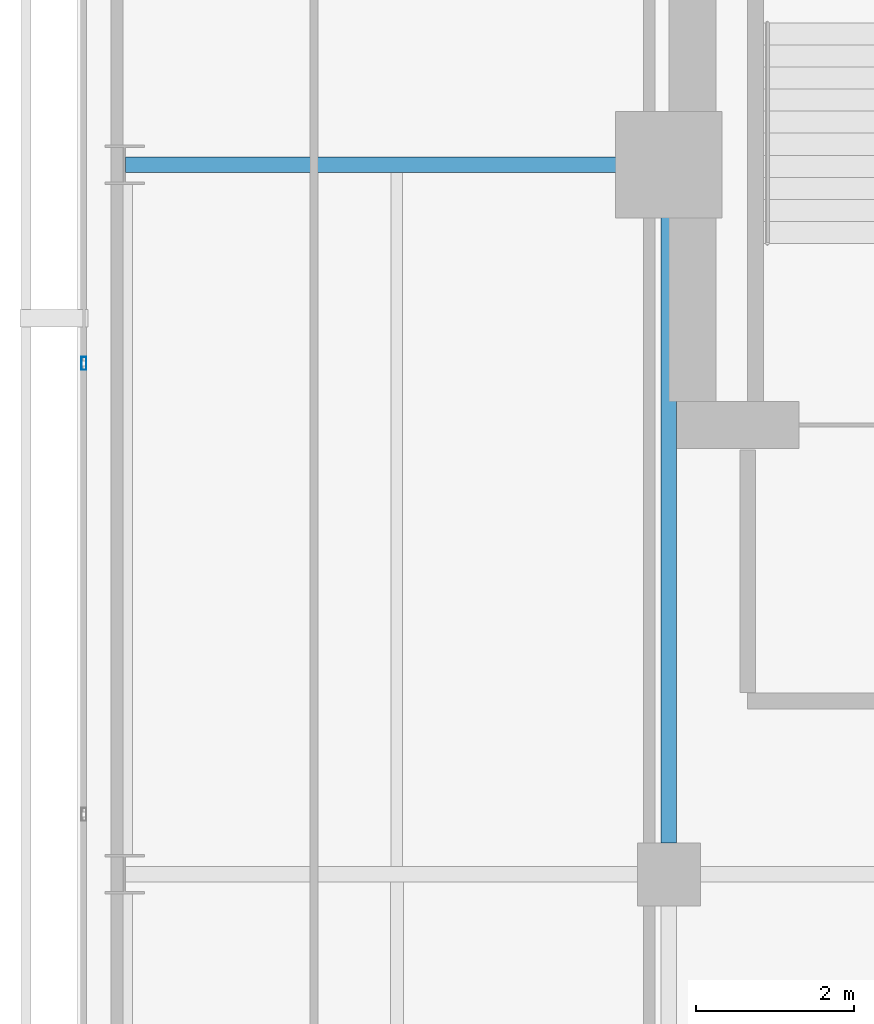
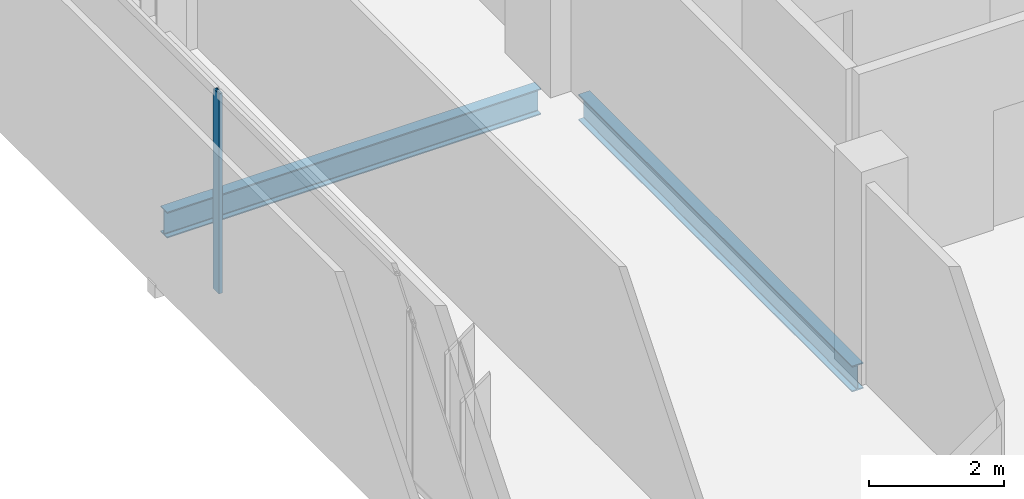
# One storey, part 9 of 23: 2 beams, 1 member, 1 element without a shape of its own.
"""IFC4 building model written with IfcOpenShell, lengths in metres."""

import ifcopenshell
import ifcopenshell.guid

model = None  # the IFC model being written
_history = None  # IfcOwnerHistory: only IFC2X3 demands one
_inside = {}  # id of a spatial element -> (the spatial element, [elements in it])
_under = {}  # id of a project, library or spatial element -> (it, [spatial elements below it])
_declared = {}  # id of a project -> (the project, [libraries it declares])
_typed = {}  # id of a type object -> (the type object, [elements of that type])
_made_of = {}  # id of a material, layer set ... -> (it, [elements and type objects made of it])


def new_model(schema):
    """Start an empty IFC model of exactly this schema.

    Asked for "IFC4X3", IfcOpenShell would pick the latest addendum, in which some entities
    have other attributes; the version numbers below select the first issue.
    IFC2X3 requires an IfcOwnerHistory on every rooted entity: one is made here for all.
    """
    global model, _history
    if schema == "IFC4X3":
        model = ifcopenshell.file(schema_version=(4, 3, 0, 0))
    else:
        model = ifcopenshell.file(schema=schema)
    _inside.clear()
    _under.clear()
    _declared.clear()
    _typed.clear()
    _made_of.clear()
    _history = None
    if model.schema == "IFC2X3":
        org = make("IfcOrganization", Name="unknown")
        user = make(
            "IfcPersonAndOrganization",
            ThePerson=make("IfcPerson", FamilyName="unknown"),
            TheOrganization=org,
        )
        app = make(
            "IfcApplication",
            ApplicationDeveloper=org,
            Version="unknown",
            ApplicationFullName="unknown",
            ApplicationIdentifier="unknown",
        )
        _history = make(
            "IfcOwnerHistory",
            OwningUser=user,
            OwningApplication=app,
            ChangeAction="ADDED",
            CreationDate=0,
        )
    return model


def make(cls, **values):
    """One entity of the class cls with the attributes given. An attribute that is None is left unset."""
    return model.create_entity(
        cls, **{name: value for name, value in values.items() if value is not None}
    )


def rooted(cls, **values):
    """An entity with a GlobalId (a new one), such as an element, a storey or a relation."""
    return make(cls, GlobalId=ifcopenshell.guid.new(), OwnerHistory=_history, **values)


def si_unit(unit_type, name, prefix=None):
    """IfcSIUnit, for example si_unit("LENGTHUNIT", "METRE", prefix="MILLI")."""
    return make("IfcSIUnit", UnitType=unit_type, Prefix=prefix, Name=name)


def assignment(units):
    """IfcUnitAssignment: the units of a project."""
    return None if units is None else make("IfcUnitAssignment", Units=units)


def point(xyz):
    """IfcCartesianPoint."""
    return None if xyz is None else make("IfcCartesianPoint", Coordinates=xyz)


def direction(xyz):
    """IfcDirection."""
    return None if xyz is None else make("IfcDirection", DirectionRatios=xyz)


def frame(location, z_axis=None, x_axis=None):
    """IfcAxis2Placement3D, a coordinate frame: its origin and axes. An axis left out is left unset."""
    return make(
        "IfcAxis2Placement3D",
        Location=point(location),
        Axis=direction(z_axis),
        RefDirection=direction(x_axis),
    )


def frame_2d(location, x_axis=None):
    """IfcAxis2Placement2D, a coordinate frame in the plane: its origin and x axis."""
    return make(
        "IfcAxis2Placement2D", Location=point(location), RefDirection=direction(x_axis)
    )


def origin():
    """The frame at (0, 0, 0) with its axes left unset."""
    return frame((0.0, 0.0, 0.0))


def origin_2d():
    """The frame at (0, 0) in the plane with its x axis left unset."""
    return frame_2d((0.0, 0.0))


def place(relative_to, where):
    """IfcLocalPlacement: puts the frame where relative to a parent placement (None: the world)."""
    return make(
        "IfcLocalPlacement", PlacementRelTo=relative_to, RelativePlacement=where
    )


def context(
    kind, dimensions, precision=None, world=None, true_north=None, identifier=None
):
    """IfcGeometricRepresentationContext, for example the 3D "Model" context."""
    return make(
        "IfcGeometricRepresentationContext",
        ContextIdentifier=identifier,
        ContextType=kind,
        CoordinateSpaceDimension=dimensions,
        Precision=precision,
        WorldCoordinateSystem=world,
        TrueNorth=true_north,
    )


def subcontext(parent, identifier, kind, view, scale=None):
    """IfcGeometricRepresentationSubContext, for example "Body" below "Model"."""
    return make(
        "IfcGeometricRepresentationSubContext",
        ContextIdentifier=identifier,
        ContextType=kind,
        ParentContext=parent,
        TargetScale=scale,
        TargetView=view,
    )


def project(units=None, contexts=None):
    """IfcProject with its units and contexts."""
    return rooted(
        "IfcProject",
        Name="project",
        RepresentationContexts=contexts,
        UnitsInContext=assignment(units),
    )


def spatial(cls, under=None, at=None, **own):
    """A site, building, storey or space (cls), placed at a placement, below another one or the project."""
    s = rooted(cls, ObjectPlacement=at, **own)
    if under is not None:
        _under.setdefault(under.id(), (under, []))[1].append(s)
    return s


def profile(cls, at=None, kind="AREA", **sizes):
    """A parametric profile (cls). Its sizes go by their IFC names, for example OverallWidth=200.0."""
    return make(cls, ProfileType=kind, Position=at, **sizes)


def hollow_rectangle(**sizes):
    """IfcRectangleHollowProfileDef."""
    return profile("IfcRectangleHollowProfileDef", **sizes)


def i_section(**sizes):
    """IfcIShapeProfileDef."""
    return profile("IfcIShapeProfileDef", **sizes)


def extrude(swept, where, along, depth):
    """IfcExtrudedAreaSolid: the profile swept, set in the frame where, extruded along a direction by depth."""
    return make(
        "IfcExtrudedAreaSolid",
        SweptArea=swept,
        Position=where,
        ExtrudedDirection=direction(along),
        Depth=depth,
    )


def shape(context_of_items, identifier, shape_type, items):
    """IfcShapeRepresentation: the items that make up one representation, for example the "Body"."""
    return make(
        "IfcShapeRepresentation",
        ContextOfItems=context_of_items,
        RepresentationIdentifier=identifier,
        RepresentationType=shape_type,
        Items=items,
    )


def material(Name=None, Category=None):
    """IfcMaterial."""
    return make("IfcMaterial", Name=Name, Category=Category)


def layer(
    of_material, thickness, ventilated=None, Name=None, Category=None, Priority=None
):
    """IfcMaterialLayer: one layer of a wall or slab, of a material (None: an air gap)."""
    return make(
        "IfcMaterialLayer",
        Material=of_material,
        LayerThickness=thickness,
        IsVentilated=ventilated,
        Name=Name,
        Category=Category,
        Priority=Priority,
    )


def layer_set(layers, Name=None):
    """IfcMaterialLayerSet."""
    return make("IfcMaterialLayerSet", MaterialLayers=layers, LayerSetName=Name)


def material_profile(
    of_material, cross_section, Name=None, Category=None, Priority=None
):
    """IfcMaterialProfile: a cross section and its material."""
    return make(
        "IfcMaterialProfile",
        Name=Name,
        Material=of_material,
        Profile=cross_section,
        Priority=Priority,
        Category=Category,
    )


def profile_set(profiles, Name=None, composite=None):
    """IfcMaterialProfileSet."""
    return make(
        "IfcMaterialProfileSet",
        Name=Name,
        MaterialProfiles=profiles,
        CompositeProfile=composite,
    )


def made_of(thing, what):
    """Note that an element or type object is made of a material, layer set ...; save() writes the relation."""
    if what is not None:
        _made_of.setdefault(what.id(), (what, []))[1].append(thing)
    return thing


def type_object(cls, material=None, **own):
    """A type object (cls), such as IfcWallType, which elements share."""
    return made_of(rooted(cls, **own), material)


def element(
    cls,
    number,
    at=None,
    inside=None,
    cuts=None,
    type_object=None,
    material=None,
    context=None,
    identifier="Body",
    shape_type=None,
    held_by="IfcProductDefinitionShape",
    body=None,
    shapes=None,
    **own,
):
    """One element of the class cls, such as IfcWall. Its Tag is "e" and its number.

    at: its placement. inside: the storey or other place that contains it. cuts: it is an
    opening in that element (IfcRelVoidsElement). A single representation is given by context,
    identifier, shape_type and body (its items); several are given by shapes. held_by: the class
    of the entity that holds the representations. save() writes the other relations.
    """
    e = rooted(cls, Tag="e%d" % number, ObjectPlacement=at, **own)
    if body is not None:
        shapes = [shape(context, identifier, shape_type, body)]
    if shapes is not None:
        e.Representation = make(held_by, Representations=shapes)
    if inside is not None:
        _inside.setdefault(inside.id(), (inside, []))[1].append(e)
    if cuts is not None:
        rooted(
            "IfcRelVoidsElement", RelatingBuildingElement=cuts, RelatedOpeningElement=e
        )
    if type_object is not None:
        _typed.setdefault(type_object.id(), (type_object, []))[1].append(e)
    return made_of(e, material)


def aggregate(whole, parts):
    """IfcRelAggregates: a whole, such as a stair, and the parts it consists of."""
    return rooted("IfcRelAggregates", RelatingObject=whole, RelatedObjects=parts)


def save(model, path):
    """Write the relations noted so far, then the file.

    IfcRelAggregates (storeys below a building ...), IfcRelContainedInSpatialStructure (elements
    in a storey), IfcRelDefinesByType, IfcRelAssociatesMaterial and IfcRelDeclares: one each for
    every whole, place, type object, material and project.
    """
    for whole, parts in _under.values():
        aggregate(whole, parts)
    for where, things in _inside.values():
        rooted(
            "IfcRelContainedInSpatialStructure",
            RelatedElements=things,
            RelatingStructure=where,
        )
    for kind, things in _typed.values():
        rooted("IfcRelDefinesByType", RelatedObjects=things, RelatingType=kind)
    for what, things in _made_of.values():
        rooted("IfcRelAssociatesMaterial", RelatedObjects=things, RelatingMaterial=what)
    for by, libraries in _declared.values():
        rooted("IfcRelDeclares", RelatingContext=by, RelatedDefinitions=libraries)
    model.write(path)


model = new_model("IFC4")

# Units and contexts
model_context = context("Model", 3, precision=1e-05, world=origin(), true_north=direction((0.0, 1.0)))
body_context = subcontext(model_context, "Body", "Model", "MODEL_VIEW")
ifc_project = project(units=[si_unit("LENGTHUNIT", "METRE"), si_unit("AREAUNIT", "SQUARE_METRE"), si_unit("VOLUMEUNIT", "CUBIC_METRE"), si_unit("PLANEANGLEUNIT", "RADIAN"), si_unit("MASSUNIT", "GRAM", prefix="KILO")], contexts=[model_context])

# Site, building, storey
site_placement = place(None, origin())
site = spatial("IfcSite", under=ifc_project, at=site_placement, CompositionType="ELEMENT")
building_placement = place(site_placement, origin())
building = spatial("IfcBuilding", under=site, at=building_placement, Name="Maruvema Waterfront Hotel and Observation Tower", CompositionType="ELEMENT")
storey_placement = place(building_placement, frame((0.0, 0.0, 341.25)))
storey = spatial("IfcBuildingStorey", under=building, at=storey_placement, Name="L84", CompositionType="ELEMENT", Elevation=341.25)

# Curtain wall, member
ifc_material_1 = material(Name="Anodised bronze aluminium and solar-control low-E IGU", Category="aluminium")
ifc_layer = layer(ifc_material_1, 0.159912109375, Name="Zone 4 Sky Residence Inner Curtain Wall System CW-05")
ifc_layer_set = layer_set([ifc_layer], Name="Anodised bronze aluminium and solar-control low-E IGU")
curtain_wall_type = type_object("IfcCurtainWallType", Name="Zone 4 Sky Residence Inner Curtain Wall System CW-05", PredefinedType="USERDEFINED", material=ifc_layer_set)
curtain_wall_placement = place(storey_placement, origin())
curtain_wall = element("IfcCurtainWall", 1, at=curtain_wall_placement, inside=storey, type_object=curtain_wall_type, Name="L84 Curtain Wall CW-L84-W", ObjectType="UNITISED CURTAIN WALL", PredefinedType="USERDEFINED")
ifc_material_2 = material(Name="Anodised architectural bronze aluminium", Category="aluminium")
ifc_material_profile_1 = material_profile(ifc_material_2, hollow_rectangle(XDim=0.06494140625, YDim=0.1650390625, WallThickness=0.00390625, at=origin_2d()), Name="ALU-M65x165")
ifc_profile_set_1 = profile_set([ifc_material_profile_1], Name="Anodised architectural bronze aluminium")
member_type = type_object("IfcMemberType", Name="Curtain Wall Primary Mullion ALU-M65x165", PredefinedType="MULLION", material=ifc_profile_set_1)
member_placement = place(storey_placement, frame((17.780029296875, 42.47998046875, 0.0), z_axis=(0.0, 0.0, 1.0), x_axis=(1.0, 0.0, 0.0)))
member = element("IfcMember", 2, at=member_placement, type_object=member_type, Name="CW-05 mullion 2", PredefinedType="MULLION", context=body_context, shape_type="SweptSolid", body=[
    extrude(hollow_rectangle(XDim=0.06494140625, YDim=0.1650390625, WallThickness=0.00390625, at=origin_2d()), origin(), (0.0, 0.0, 1.0), 3.610107421875),
])
aggregate(curtain_wall, [member])

# Beams
ifc_material_3 = material(Name="Steel ASTM A572 Grade 50", Category="steel")
ifc_material_profile_2 = material_profile(ifc_material_3, i_section(OverallWidth=0.194091796875, OverallDepth=0.468994140625, WebThickness=0.0126953125, FlangeThickness=0.0205078125, FilletRadius=0.014892578125, at=origin_2d()), Name="W460x106.0")
ifc_profile_set_2 = profile_set([ifc_material_profile_2], Name="Steel ASTM A572 Grade 50")
beam_type = type_object("IfcBeamType", Name="Primary Floor Girder W460x106.0", PredefinedType="BEAM", material=ifc_profile_set_2)
beam_1_placement = place(storey_placement, frame((18.31103515625, 45.0, -0.474609375), z_axis=(1.0, 0.0, 0.0), x_axis=(0.0, 1.0, 0.0)))
element("IfcBeam", 3, at=beam_1_placement, inside=storey, type_object=beam_type, Name="L84 Floor Girder EW-15", PredefinedType="BEAM", context=body_context, shape_type="SweptSolid", body=[
    extrude(i_section(OverallWidth=0.194091796875, OverallDepth=0.468994140625, WebThickness=0.0126953125, FlangeThickness=0.0205078125, FilletRadius=0.014892578125, at=origin_2d()), origin(), (0.0, 0.0, 1.0), 6.388916015625),
])
beam_2_placement = place(storey_placement, frame((25.199951171875, 36.39990234375, -0.474609375), z_axis=(0.0, 1.0, 0.0), x_axis=(-1.0, 0.0, 0.0)))
element("IfcBeam", 4, at=beam_2_placement, inside=storey, type_object=beam_type, Name="L84 Floor Girder NS-06", PredefinedType="BEAM", context=body_context, shape_type="SweptSolid", body=[
    extrude(i_section(OverallWidth=0.194091796875, OverallDepth=0.468994140625, WebThickness=0.0126953125, FlangeThickness=0.0205078125, FilletRadius=0.014892578125, at=origin_2d()), origin(), (0.0, 0.0, 1.0), 8.10009765625),
])

save(model, "model.ifc")
